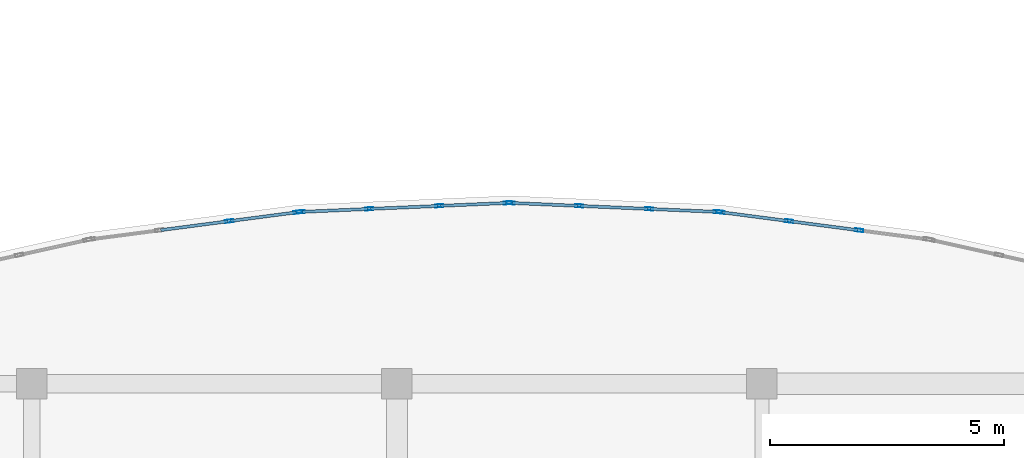
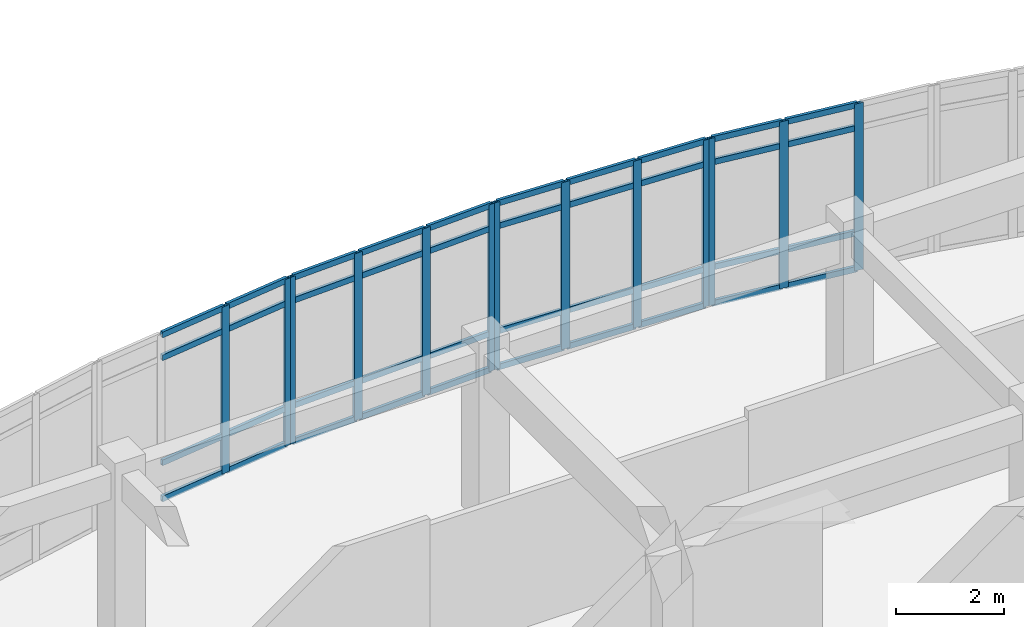
# One storey, part 56 of 146: 53 members, 4 elements without a shape of their own.
"""IFC4 building model written with IfcOpenShell, lengths in metres."""

from ifc_helpers import new_model, si_unit, direction, frame, origin, origin_2d, place, context, subcontext, project, spatial, hollow_rectangle, extrude, material, layer, layer_set, material_profile, profile_set, type_object, element, aggregate, save


model = new_model("IFC4")

# Units and contexts
model_context = context("Model", 3, precision=1e-05, world=origin(), true_north=direction((0.0, 1.0)))
body_context = subcontext(model_context, "Body", "Model", "MODEL_VIEW")
ifc_project = project(units=[si_unit("LENGTHUNIT", "METRE"), si_unit("AREAUNIT", "SQUARE_METRE"), si_unit("VOLUMEUNIT", "CUBIC_METRE"), si_unit("PLANEANGLEUNIT", "RADIAN"), si_unit("MASSUNIT", "GRAM", prefix="KILO")], contexts=[model_context])

# Site, building, storey
site_placement = place(None, origin())
site = spatial("IfcSite", under=ifc_project, at=site_placement, CompositionType="ELEMENT")
building_placement = place(site_placement, origin())
building = spatial("IfcBuilding", under=site, at=building_placement, Name="Valcora Specialist Clinic", CompositionType="ELEMENT")
storey_placement = place(building_placement, frame((0.0, 0.0, 9.52001953125)))
storey = spatial("IfcBuildingStorey", under=building, at=storey_placement, Name="L02", CompositionType="ELEMENT", Elevation=9.52001953125)

# Curtain wall, members
ifc_material = material(Name="Anodized Bronze Aluminium 6063-T6", Category="aluminium")
ifc_layer = layer(ifc_material, 0.175048828125)
ifc_layer_set = layer_set([ifc_layer], Name="Anodized Bronze Aluminium 6063-T6")
curtain_wall_type = type_object("IfcCurtainWallType", Name="TY-CW-ARC40", PredefinedType="NOTDEFINED", material=ifc_layer_set)
curtain_wall_1_placement = place(storey_placement, origin())
curtain_wall_1 = element("IfcCurtainWall", 1, at=curtain_wall_1_placement, inside=storey, type_object=curtain_wall_type, Name="Curtain wall CW-L02-204", PredefinedType="NOTDEFINED")
ifc_material_profile_1 = material_profile(ifc_material, hollow_rectangle(XDim=0.06494140625, YDim=0.175048828125, WallThickness=0.00390625, at=origin_2d()), Name="AL-MUL-65X175")
ifc_profile_set_1 = profile_set([ifc_material_profile_1], Name="Anodized Bronze Aluminium 6063-T6")
member_type_1 = type_object("IfcMemberType", Name="TY-CWM-65X175", PredefinedType="MULLION", material=ifc_profile_set_1)
member_1_placement = place(storey_placement, frame((81.017333984375, 25.474365234375, 0.0), z_axis=(0.0, 0.0, 1.0), x_axis=(-0.129999492259, 0.991514060421, 0.0)))
member_1 = element("IfcMember", 2, at=member_1_placement, type_object=member_type_1, Name="CW-ARC-40 mullion 3", PredefinedType="MULLION", context=body_context, shape_type="SweptSolid", body=[
    extrude(hollow_rectangle(XDim=0.06494140625, YDim=0.175048828125, WallThickness=0.00390625, at=origin_2d()), origin(), (0.0, 0.0, 1.0), 3.780029296875),
])
member_2_placement = place(storey_placement, frame((82.480712890625, 25.666259765625, 0.0), z_axis=(0.0, 0.0, 1.0), x_axis=(-0.129999492259, 0.991514060421, 0.0)))
member_2 = element("IfcMember", 3, at=member_2_placement, type_object=member_type_1, Name="CW-ARC-40 mullion 4", PredefinedType="MULLION", context=body_context, shape_type="SweptSolid", body=[
    extrude(hollow_rectangle(XDim=0.06494140625, YDim=0.175048828125, WallThickness=0.00390625, at=origin_2d()), origin(), (0.0, 0.0, 1.0), 3.780029296875),
])

curtain_wall_2_placement = place(storey_placement, origin())
curtain_wall_2 = element("IfcCurtainWall", 4, at=curtain_wall_2_placement, inside=storey, type_object=curtain_wall_type, Name="Curtain wall CW-L02-205", PredefinedType="NOTDEFINED")
member_3_placement = place(storey_placement, frame((82.54541015625, 25.671875, 0.0), z_axis=(0.0, 0.0, 1.0), x_axis=(-0.043306780525, 0.999061821291, 0.0)))
member_3 = element("IfcMember", 5, at=member_3_placement, type_object=member_type_1, Name="CW-ARC-40 mullion 1", PredefinedType="MULLION", context=body_context, shape_type="SweptSolid", body=[
    extrude(hollow_rectangle(XDim=0.06494140625, YDim=0.175048828125, WallThickness=0.00390625, at=origin_2d()), origin(), (0.0, 0.0, 1.0), 3.780029296875),
])
member_4_placement = place(storey_placement, frame((84.008544921875, 25.7353515625, 0.0), z_axis=(0.0, 0.0, 1.0), x_axis=(-0.043306780525, 0.999061821291, 0.0)))
member_4 = element("IfcMember", 6, at=member_4_placement, type_object=member_type_1, Name="CW-ARC-40 mullion 2", PredefinedType="MULLION", context=body_context, shape_type="SweptSolid", body=[
    extrude(hollow_rectangle(XDim=0.06494140625, YDim=0.175048828125, WallThickness=0.00390625, at=origin_2d()), origin(), (0.0, 0.0, 1.0), 3.780029296875),
])
member_5_placement = place(storey_placement, frame((85.50439453125, 25.800048828125, 0.0), z_axis=(0.0, 0.0, 1.0), x_axis=(-0.043306780525, 0.999061821291, 0.0)))
member_5 = element("IfcMember", 7, at=member_5_placement, type_object=member_type_1, Name="CW-ARC-40 mullion 3", PredefinedType="MULLION", context=body_context, shape_type="SweptSolid", body=[
    extrude(hollow_rectangle(XDim=0.06494140625, YDim=0.175048828125, WallThickness=0.00390625, at=origin_2d()), origin(), (0.0, 0.0, 1.0), 3.780029296875),
])
member_6_placement = place(storey_placement, frame((86.967529296875, 25.863525390625, 0.0), z_axis=(0.0, 0.0, 1.0), x_axis=(-0.043306780525, 0.999061821291, 0.0)))
member_6 = element("IfcMember", 8, at=member_6_placement, type_object=member_type_1, Name="CW-ARC-40 mullion 4", PredefinedType="MULLION", context=body_context, shape_type="SweptSolid", body=[
    extrude(hollow_rectangle(XDim=0.06494140625, YDim=0.175048828125, WallThickness=0.00390625, at=origin_2d()), origin(), (0.0, 0.0, 1.0), 3.780029296875),
])

curtain_wall_3_placement = place(storey_placement, origin())
curtain_wall_3 = element("IfcCurtainWall", 9, at=curtain_wall_3_placement, inside=storey, type_object=curtain_wall_type, Name="Curtain wall CW-L02-206", PredefinedType="NOTDEFINED")
member_7_placement = place(storey_placement, frame((87.032470703125, 25.863525390625, 0.0), z_axis=(0.0, 0.0, 1.0), x_axis=(0.043306780525, 0.999061821291, 0.0)))
member_7 = element("IfcMember", 10, at=member_7_placement, type_object=member_type_1, Name="CW-ARC-40 mullion 1", PredefinedType="MULLION", context=body_context, shape_type="SweptSolid", body=[
    extrude(hollow_rectangle(XDim=0.06494140625, YDim=0.175048828125, WallThickness=0.00390625, at=origin_2d()), origin(), (0.0, 0.0, 1.0), 3.780029296875),
])
member_8_placement = place(storey_placement, frame((88.49560546875, 25.800048828125, 0.0), z_axis=(0.0, 0.0, 1.0), x_axis=(0.043306780525, 0.999061821291, 0.0)))
member_8 = element("IfcMember", 11, at=member_8_placement, type_object=member_type_1, Name="CW-ARC-40 mullion 2", PredefinedType="MULLION", context=body_context, shape_type="SweptSolid", body=[
    extrude(hollow_rectangle(XDim=0.06494140625, YDim=0.175048828125, WallThickness=0.00390625, at=origin_2d()), origin(), (0.0, 0.0, 1.0), 3.780029296875),
])
member_9_placement = place(storey_placement, frame((89.991455078125, 25.7353515625, 0.0), z_axis=(0.0, 0.0, 1.0), x_axis=(0.043306780525, 0.999061821291, 0.0)))
member_9 = element("IfcMember", 12, at=member_9_placement, type_object=member_type_1, Name="CW-ARC-40 mullion 3", PredefinedType="MULLION", context=body_context, shape_type="SweptSolid", body=[
    extrude(hollow_rectangle(XDim=0.06494140625, YDim=0.175048828125, WallThickness=0.00390625, at=origin_2d()), origin(), (0.0, 0.0, 1.0), 3.780029296875),
])
member_10_placement = place(storey_placement, frame((91.45458984375, 25.671875, 0.0), z_axis=(0.0, 0.0, 1.0), x_axis=(0.043306780525, 0.999061821291, 0.0)))
member_10 = element("IfcMember", 13, at=member_10_placement, type_object=member_type_1, Name="CW-ARC-40 mullion 4", PredefinedType="MULLION", context=body_context, shape_type="SweptSolid", body=[
    extrude(hollow_rectangle(XDim=0.06494140625, YDim=0.175048828125, WallThickness=0.00390625, at=origin_2d()), origin(), (0.0, 0.0, 1.0), 3.780029296875),
])

curtain_wall_4_placement = place(storey_placement, origin())
curtain_wall_4 = element("IfcCurtainWall", 14, at=curtain_wall_4_placement, inside=storey, type_object=curtain_wall_type, Name="Curtain wall CW-L02-207", PredefinedType="NOTDEFINED")
member_11_placement = place(storey_placement, frame((91.519287109375, 25.666259765625, 0.0), z_axis=(0.0, 0.0, 1.0), x_axis=(0.129999492259, 0.991514060421, 0.0)))
member_11 = element("IfcMember", 15, at=member_11_placement, type_object=member_type_1, Name="CW-ARC-40 mullion 1", PredefinedType="MULLION", context=body_context, shape_type="SweptSolid", body=[
    extrude(hollow_rectangle(XDim=0.06494140625, YDim=0.175048828125, WallThickness=0.00390625, at=origin_2d()), origin(), (0.0, 0.0, 1.0), 3.780029296875),
])
member_12_placement = place(storey_placement, frame((92.982666015625, 25.474365234375, 0.0), z_axis=(0.0, 0.0, 1.0), x_axis=(0.129999492259, 0.991514060421, 0.0)))
member_12 = element("IfcMember", 16, at=member_12_placement, type_object=member_type_1, Name="CW-ARC-40 mullion 2", PredefinedType="MULLION", context=body_context, shape_type="SweptSolid", body=[
    extrude(hollow_rectangle(XDim=0.06494140625, YDim=0.175048828125, WallThickness=0.00390625, at=origin_2d()), origin(), (0.0, 0.0, 1.0), 3.780029296875),
])
member_13_placement = place(storey_placement, frame((94.478271484375, 25.2783203125, 0.0), z_axis=(0.0, 0.0, 1.0), x_axis=(0.129999492259, 0.991514060421, 0.0)))
member_13 = element("IfcMember", 17, at=member_13_placement, type_object=member_type_1, Name="CW-ARC-40 mullion 3", PredefinedType="MULLION", context=body_context, shape_type="SweptSolid", body=[
    extrude(hollow_rectangle(XDim=0.06494140625, YDim=0.175048828125, WallThickness=0.00390625, at=origin_2d()), origin(), (0.0, 0.0, 1.0), 3.780029296875),
])

# Member
ifc_material_profile_2 = material_profile(ifc_material, hollow_rectangle(XDim=0.06494140625, YDim=0.1298828125, WallThickness=0.00390625, at=origin_2d()), Name="AL-TRN-65X130")
ifc_profile_set_2 = profile_set([ifc_material_profile_2], Name="Anodized Bronze Aluminium 6063-T6")
member_type_2 = type_object("IfcMemberType", Name="TY-CWT-65X130", PredefinedType="USERDEFINED", material=ifc_profile_set_2)
member_14_placement = place(storey_placement, frame((79.553955078125, 25.282470703125, 0.032470703125), z_axis=(0.99152668223, 0.129903188665, 0.0), x_axis=(-0.129903188665, 0.99152668223, 0.0)))
member_14 = element("IfcMember", 18, at=member_14_placement, type_object=member_type_2, Name="CW-ARC-40 transom 2.1", ObjectType="TRANSOM", PredefinedType="USERDEFINED", context=body_context, shape_type="SweptSolid", body=[
    extrude(hollow_rectangle(XDim=0.06494140625, YDim=0.1298828125, WallThickness=0.00390625, at=origin_2d()), origin(), (0.0, 0.0, 1.0), 1.443359375),
])

member_15_placement = place(storey_placement, frame((79.553955078125, 25.282470703125, 0.85009765625), z_axis=(0.99152668223, 0.129903188665, 0.0), x_axis=(-0.129903188665, 0.99152668223, 0.0)))
member_15 = element("IfcMember", 19, at=member_15_placement, type_object=member_type_2, Name="CW-ARC-40 transom 2.2", ObjectType="TRANSOM", PredefinedType="USERDEFINED", context=body_context, shape_type="SweptSolid", body=[
    extrude(hollow_rectangle(XDim=0.06494140625, YDim=0.1298828125, WallThickness=0.00390625, at=origin_2d()), origin(), (0.0, 0.0, 1.0), 1.443359375),
])

member_16_placement = place(storey_placement, frame((79.553955078125, 25.282470703125, 3.22998046875), z_axis=(0.99152668223, 0.129903188665, 0.0), x_axis=(-0.129903188665, 0.99152668223, 0.0)))
member_16 = element("IfcMember", 20, at=member_16_placement, type_object=member_type_2, Name="CW-ARC-40 transom 2.3", ObjectType="TRANSOM", PredefinedType="USERDEFINED", context=body_context, shape_type="SweptSolid", body=[
    extrude(hollow_rectangle(XDim=0.06494140625, YDim=0.1298828125, WallThickness=0.00390625, at=origin_2d()), origin(), (0.0, 0.0, 1.0), 1.443359375),
])

member_17_placement = place(storey_placement, frame((79.553955078125, 25.282470703125, 3.74755859375), z_axis=(0.99152668223, 0.129903188665, 0.0), x_axis=(-0.129903188665, 0.99152668223, 0.0)))
member_17 = element("IfcMember", 21, at=member_17_placement, type_object=member_type_2, Name="CW-ARC-40 transom 2.4", ObjectType="TRANSOM", PredefinedType="USERDEFINED", context=body_context, shape_type="SweptSolid", body=[
    extrude(hollow_rectangle(XDim=0.06494140625, YDim=0.1298828125, WallThickness=0.00390625, at=origin_2d()), origin(), (0.0, 0.0, 1.0), 1.443359375),
])

member_18_placement = place(storey_placement, frame((81.049560546875, 25.478515625, 0.032470703125), z_axis=(0.991520133728, 0.129953162379, 0.0), x_axis=(-0.129953162379, 0.991520133728, 0.0)))
member_18 = element("IfcMember", 22, at=member_18_placement, type_object=member_type_2, Name="CW-ARC-40 transom 3.1", ObjectType="TRANSOM", PredefinedType="USERDEFINED", context=body_context, shape_type="SweptSolid", body=[
    extrude(hollow_rectangle(XDim=0.06494140625, YDim=0.1298828125, WallThickness=0.00390625, at=origin_2d()), origin(), (0.0, 0.0, 1.0), 1.410888671875),
])

member_19_placement = place(storey_placement, frame((81.049560546875, 25.478515625, 0.85009765625), z_axis=(0.991520133728, 0.129953162379, 0.0), x_axis=(-0.129953162379, 0.991520133728, 0.0)))
member_19 = element("IfcMember", 23, at=member_19_placement, type_object=member_type_2, Name="CW-ARC-40 transom 3.2", ObjectType="TRANSOM", PredefinedType="USERDEFINED", context=body_context, shape_type="SweptSolid", body=[
    extrude(hollow_rectangle(XDim=0.06494140625, YDim=0.1298828125, WallThickness=0.00390625, at=origin_2d()), origin(), (0.0, 0.0, 1.0), 1.410888671875),
])

member_20_placement = place(storey_placement, frame((81.049560546875, 25.478515625, 3.22998046875), z_axis=(0.991520133728, 0.129953162379, 0.0), x_axis=(-0.129953162379, 0.991520133728, 0.0)))
member_20 = element("IfcMember", 24, at=member_20_placement, type_object=member_type_2, Name="CW-ARC-40 transom 3.3", ObjectType="TRANSOM", PredefinedType="USERDEFINED", context=body_context, shape_type="SweptSolid", body=[
    extrude(hollow_rectangle(XDim=0.06494140625, YDim=0.1298828125, WallThickness=0.00390625, at=origin_2d()), origin(), (0.0, 0.0, 1.0), 1.410888671875),
])

member_21_placement = place(storey_placement, frame((81.049560546875, 25.478515625, 3.74755859375), z_axis=(0.991520133728, 0.129953162379, 0.0), x_axis=(-0.129953162379, 0.991520133728, 0.0)))
member_21 = element("IfcMember", 25, at=member_21_placement, type_object=member_type_2, Name="CW-ARC-40 transom 3.4", ObjectType="TRANSOM", PredefinedType="USERDEFINED", context=body_context, shape_type="SweptSolid", body=[
    extrude(hollow_rectangle(XDim=0.06494140625, YDim=0.1298828125, WallThickness=0.00390625, at=origin_2d()), origin(), (0.0, 0.0, 1.0), 1.410888671875),
])

aggregate(curtain_wall_1, [member_1, member_2, member_14, member_15, member_16, member_17, member_18, member_19, member_20, member_21])

member_22_placement = place(storey_placement, frame((82.577880859375, 25.673095703125, 0.032470703125), z_axis=(0.999056487414, 0.043429655266, 0.0), x_axis=(-0.043429655266, 0.999056487414, 0.0)))
member_22 = element("IfcMember", 26, at=member_22_placement, type_object=member_type_2, Name="CW-ARC-40 transom 1.1", ObjectType="TRANSOM", PredefinedType="USERDEFINED", context=body_context, shape_type="SweptSolid", body=[
    extrude(hollow_rectangle(XDim=0.06494140625, YDim=0.1298828125, WallThickness=0.00390625, at=origin_2d()), origin(), (0.0, 0.0, 1.0), 1.399658203125),
])

member_23_placement = place(storey_placement, frame((82.577880859375, 25.673095703125, 0.85009765625), z_axis=(0.999056487414, 0.043429655266, 0.0), x_axis=(-0.043429655266, 0.999056487414, 0.0)))
member_23 = element("IfcMember", 27, at=member_23_placement, type_object=member_type_2, Name="CW-ARC-40 transom 1.2", ObjectType="TRANSOM", PredefinedType="USERDEFINED", context=body_context, shape_type="SweptSolid", body=[
    extrude(hollow_rectangle(XDim=0.06494140625, YDim=0.1298828125, WallThickness=0.00390625, at=origin_2d()), origin(), (0.0, 0.0, 1.0), 1.399658203125),
])

member_24_placement = place(storey_placement, frame((82.577880859375, 25.673095703125, 3.22998046875), z_axis=(0.999056487414, 0.043429655266, 0.0), x_axis=(-0.043429655266, 0.999056487414, 0.0)))
member_24 = element("IfcMember", 28, at=member_24_placement, type_object=member_type_2, Name="CW-ARC-40 transom 1.3", ObjectType="TRANSOM", PredefinedType="USERDEFINED", context=body_context, shape_type="SweptSolid", body=[
    extrude(hollow_rectangle(XDim=0.06494140625, YDim=0.1298828125, WallThickness=0.00390625, at=origin_2d()), origin(), (0.0, 0.0, 1.0), 1.399658203125),
])

member_25_placement = place(storey_placement, frame((82.577880859375, 25.673095703125, 3.74755859375), z_axis=(0.999056487414, 0.043429655266, 0.0), x_axis=(-0.043429655266, 0.999056487414, 0.0)))
member_25 = element("IfcMember", 29, at=member_25_placement, type_object=member_type_2, Name="CW-ARC-40 transom 1.4", ObjectType="TRANSOM", PredefinedType="USERDEFINED", context=body_context, shape_type="SweptSolid", body=[
    extrude(hollow_rectangle(XDim=0.06494140625, YDim=0.1298828125, WallThickness=0.00390625, at=origin_2d()), origin(), (0.0, 0.0, 1.0), 1.399658203125),
])

member_26_placement = place(storey_placement, frame((84.041015625, 25.736572265625, 0.032470703125), z_axis=(0.999062259276, 0.043296675287, 0.0), x_axis=(-0.043296675287, 0.999062259276, 0.0)))
member_26 = element("IfcMember", 30, at=member_26_placement, type_object=member_type_2, Name="CW-ARC-40 transom 2.1", ObjectType="TRANSOM", PredefinedType="USERDEFINED", context=body_context, shape_type="SweptSolid", body=[
    extrude(hollow_rectangle(XDim=0.06494140625, YDim=0.1298828125, WallThickness=0.00390625, at=origin_2d()), origin(), (0.0, 0.0, 1.0), 1.432373046875),
])

member_27_placement = place(storey_placement, frame((84.041015625, 25.736572265625, 0.85009765625), z_axis=(0.999062259276, 0.043296675287, 0.0), x_axis=(-0.043296675287, 0.999062259276, 0.0)))
member_27 = element("IfcMember", 31, at=member_27_placement, type_object=member_type_2, Name="CW-ARC-40 transom 2.2", ObjectType="TRANSOM", PredefinedType="USERDEFINED", context=body_context, shape_type="SweptSolid", body=[
    extrude(hollow_rectangle(XDim=0.06494140625, YDim=0.1298828125, WallThickness=0.00390625, at=origin_2d()), origin(), (0.0, 0.0, 1.0), 1.432373046875),
])

member_28_placement = place(storey_placement, frame((84.041015625, 25.736572265625, 3.22998046875), z_axis=(0.999062259276, 0.043296675287, 0.0), x_axis=(-0.043296675287, 0.999062259276, 0.0)))
member_28 = element("IfcMember", 32, at=member_28_placement, type_object=member_type_2, Name="CW-ARC-40 transom 2.3", ObjectType="TRANSOM", PredefinedType="USERDEFINED", context=body_context, shape_type="SweptSolid", body=[
    extrude(hollow_rectangle(XDim=0.06494140625, YDim=0.1298828125, WallThickness=0.00390625, at=origin_2d()), origin(), (0.0, 0.0, 1.0), 1.432373046875),
])

member_29_placement = place(storey_placement, frame((84.041015625, 25.736572265625, 3.74755859375), z_axis=(0.999062259276, 0.043296675287, 0.0), x_axis=(-0.043296675287, 0.999062259276, 0.0)))
member_29 = element("IfcMember", 33, at=member_29_placement, type_object=member_type_2, Name="CW-ARC-40 transom 2.4", ObjectType="TRANSOM", PredefinedType="USERDEFINED", context=body_context, shape_type="SweptSolid", body=[
    extrude(hollow_rectangle(XDim=0.06494140625, YDim=0.1298828125, WallThickness=0.00390625, at=origin_2d()), origin(), (0.0, 0.0, 1.0), 1.432373046875),
])

member_30_placement = place(storey_placement, frame((85.536865234375, 25.801513671875, 0.032470703125), z_axis=(0.999063713567, 0.043263104761, 0.0), x_axis=(-0.043263104761, 0.999063713567, 0.0)))
member_30 = element("IfcMember", 34, at=member_30_placement, type_object=member_type_2, Name="CW-ARC-40 transom 3.1", ObjectType="TRANSOM", PredefinedType="USERDEFINED", context=body_context, shape_type="SweptSolid", body=[
    extrude(hollow_rectangle(XDim=0.06494140625, YDim=0.1298828125, WallThickness=0.00390625, at=origin_2d()), origin(), (0.0, 0.0, 1.0), 1.3994140625),
])

member_31_placement = place(storey_placement, frame((85.536865234375, 25.801513671875, 0.85009765625), z_axis=(0.999063713567, 0.043263104761, 0.0), x_axis=(-0.043263104761, 0.999063713567, 0.0)))
member_31 = element("IfcMember", 35, at=member_31_placement, type_object=member_type_2, Name="CW-ARC-40 transom 3.2", ObjectType="TRANSOM", PredefinedType="USERDEFINED", context=body_context, shape_type="SweptSolid", body=[
    extrude(hollow_rectangle(XDim=0.06494140625, YDim=0.1298828125, WallThickness=0.00390625, at=origin_2d()), origin(), (0.0, 0.0, 1.0), 1.3994140625),
])

member_32_placement = place(storey_placement, frame((85.536865234375, 25.801513671875, 3.22998046875), z_axis=(0.999063713567, 0.043263104761, 0.0), x_axis=(-0.043263104761, 0.999063713567, 0.0)))
member_32 = element("IfcMember", 36, at=member_32_placement, type_object=member_type_2, Name="CW-ARC-40 transom 3.3", ObjectType="TRANSOM", PredefinedType="USERDEFINED", context=body_context, shape_type="SweptSolid", body=[
    extrude(hollow_rectangle(XDim=0.06494140625, YDim=0.1298828125, WallThickness=0.00390625, at=origin_2d()), origin(), (0.0, 0.0, 1.0), 1.3994140625),
])

member_33_placement = place(storey_placement, frame((85.536865234375, 25.801513671875, 3.74755859375), z_axis=(0.999063713567, 0.043263104761, 0.0), x_axis=(-0.043263104761, 0.999063713567, 0.0)))
member_33 = element("IfcMember", 37, at=member_33_placement, type_object=member_type_2, Name="CW-ARC-40 transom 3.4", ObjectType="TRANSOM", PredefinedType="USERDEFINED", context=body_context, shape_type="SweptSolid", body=[
    extrude(hollow_rectangle(XDim=0.06494140625, YDim=0.1298828125, WallThickness=0.00390625, at=origin_2d()), origin(), (0.0, 0.0, 1.0), 1.3994140625),
])

aggregate(curtain_wall_2, [member_3, member_4, member_5, member_6, member_22, member_23, member_24, member_25, member_26, member_27, member_28, member_29, member_30, member_31, member_32, member_33])

member_34_placement = place(storey_placement, frame((87.06494140625, 25.862060546875, 0.032470703125), z_axis=(0.999063713567, -0.043263104761, 0.0), x_axis=(0.043263104761, 0.999063713567, 0.0)))
member_34 = element("IfcMember", 38, at=member_34_placement, type_object=member_type_2, Name="CW-ARC-40 transom 1.1", ObjectType="TRANSOM", PredefinedType="USERDEFINED", context=body_context, shape_type="SweptSolid", body=[
    extrude(hollow_rectangle(XDim=0.06494140625, YDim=0.1298828125, WallThickness=0.00390625, at=origin_2d()), origin(), (0.0, 0.0, 1.0), 1.3994140625),
])

member_35_placement = place(storey_placement, frame((87.06494140625, 25.862060546875, 0.85009765625), z_axis=(0.999063713567, -0.043263104761, 0.0), x_axis=(0.043263104761, 0.999063713567, 0.0)))
member_35 = element("IfcMember", 39, at=member_35_placement, type_object=member_type_2, Name="CW-ARC-40 transom 1.2", ObjectType="TRANSOM", PredefinedType="USERDEFINED", context=body_context, shape_type="SweptSolid", body=[
    extrude(hollow_rectangle(XDim=0.06494140625, YDim=0.1298828125, WallThickness=0.00390625, at=origin_2d()), origin(), (0.0, 0.0, 1.0), 1.3994140625),
])

member_36_placement = place(storey_placement, frame((87.06494140625, 25.862060546875, 3.22998046875), z_axis=(0.999063713567, -0.043263104761, 0.0), x_axis=(0.043263104761, 0.999063713567, 0.0)))
member_36 = element("IfcMember", 40, at=member_36_placement, type_object=member_type_2, Name="CW-ARC-40 transom 1.3", ObjectType="TRANSOM", PredefinedType="USERDEFINED", context=body_context, shape_type="SweptSolid", body=[
    extrude(hollow_rectangle(XDim=0.06494140625, YDim=0.1298828125, WallThickness=0.00390625, at=origin_2d()), origin(), (0.0, 0.0, 1.0), 1.3994140625),
])

member_37_placement = place(storey_placement, frame((87.06494140625, 25.862060546875, 3.74755859375), z_axis=(0.999063713567, -0.043263104761, 0.0), x_axis=(0.043263104761, 0.999063713567, 0.0)))
member_37 = element("IfcMember", 41, at=member_37_placement, type_object=member_type_2, Name="CW-ARC-40 transom 1.4", ObjectType="TRANSOM", PredefinedType="USERDEFINED", context=body_context, shape_type="SweptSolid", body=[
    extrude(hollow_rectangle(XDim=0.06494140625, YDim=0.1298828125, WallThickness=0.00390625, at=origin_2d()), origin(), (0.0, 0.0, 1.0), 1.3994140625),
])

member_38_placement = place(storey_placement, frame((88.528076171875, 25.798583984375, 0.032470703125), z_axis=(0.999062259276, -0.043296675287, 0.0), x_axis=(0.043296675287, 0.999062259276, 0.0)))
member_38 = element("IfcMember", 42, at=member_38_placement, type_object=member_type_2, Name="CW-ARC-40 transom 2.1", ObjectType="TRANSOM", PredefinedType="USERDEFINED", context=body_context, shape_type="SweptSolid", body=[
    extrude(hollow_rectangle(XDim=0.06494140625, YDim=0.1298828125, WallThickness=0.00390625, at=origin_2d()), origin(), (0.0, 0.0, 1.0), 1.432373046875),
])

member_39_placement = place(storey_placement, frame((88.528076171875, 25.798583984375, 0.85009765625), z_axis=(0.999062259276, -0.043296675287, 0.0), x_axis=(0.043296675287, 0.999062259276, 0.0)))
member_39 = element("IfcMember", 43, at=member_39_placement, type_object=member_type_2, Name="CW-ARC-40 transom 2.2", ObjectType="TRANSOM", PredefinedType="USERDEFINED", context=body_context, shape_type="SweptSolid", body=[
    extrude(hollow_rectangle(XDim=0.06494140625, YDim=0.1298828125, WallThickness=0.00390625, at=origin_2d()), origin(), (0.0, 0.0, 1.0), 1.432373046875),
])

member_40_placement = place(storey_placement, frame((88.528076171875, 25.798583984375, 3.22998046875), z_axis=(0.999062259276, -0.043296675287, 0.0), x_axis=(0.043296675287, 0.999062259276, 0.0)))
member_40 = element("IfcMember", 44, at=member_40_placement, type_object=member_type_2, Name="CW-ARC-40 transom 2.3", ObjectType="TRANSOM", PredefinedType="USERDEFINED", context=body_context, shape_type="SweptSolid", body=[
    extrude(hollow_rectangle(XDim=0.06494140625, YDim=0.1298828125, WallThickness=0.00390625, at=origin_2d()), origin(), (0.0, 0.0, 1.0), 1.432373046875),
])

member_41_placement = place(storey_placement, frame((88.528076171875, 25.798583984375, 3.74755859375), z_axis=(0.999062259276, -0.043296675287, 0.0), x_axis=(0.043296675287, 0.999062259276, 0.0)))
member_41 = element("IfcMember", 45, at=member_41_placement, type_object=member_type_2, Name="CW-ARC-40 transom 2.4", ObjectType="TRANSOM", PredefinedType="USERDEFINED", context=body_context, shape_type="SweptSolid", body=[
    extrude(hollow_rectangle(XDim=0.06494140625, YDim=0.1298828125, WallThickness=0.00390625, at=origin_2d()), origin(), (0.0, 0.0, 1.0), 1.432373046875),
])

member_42_placement = place(storey_placement, frame((90.023681640625, 25.73388671875, 0.032470703125), z_axis=(0.999056487414, -0.043429655266, 0.0), x_axis=(0.043429655266, 0.999056487414, 0.0)))
member_42 = element("IfcMember", 46, at=member_42_placement, type_object=member_type_2, Name="CW-ARC-40 transom 3.1", ObjectType="TRANSOM", PredefinedType="USERDEFINED", context=body_context, shape_type="SweptSolid", body=[
    extrude(hollow_rectangle(XDim=0.06494140625, YDim=0.1298828125, WallThickness=0.00390625, at=origin_2d()), origin(), (0.0, 0.0, 1.0), 1.399658203125),
])

member_43_placement = place(storey_placement, frame((90.023681640625, 25.73388671875, 0.85009765625), z_axis=(0.999056487414, -0.043429655266, 0.0), x_axis=(0.043429655266, 0.999056487414, 0.0)))
member_43 = element("IfcMember", 47, at=member_43_placement, type_object=member_type_2, Name="CW-ARC-40 transom 3.2", ObjectType="TRANSOM", PredefinedType="USERDEFINED", context=body_context, shape_type="SweptSolid", body=[
    extrude(hollow_rectangle(XDim=0.06494140625, YDim=0.1298828125, WallThickness=0.00390625, at=origin_2d()), origin(), (0.0, 0.0, 1.0), 1.399658203125),
])

member_44_placement = place(storey_placement, frame((90.023681640625, 25.73388671875, 3.22998046875), z_axis=(0.999056487414, -0.043429655266, 0.0), x_axis=(0.043429655266, 0.999056487414, 0.0)))
member_44 = element("IfcMember", 48, at=member_44_placement, type_object=member_type_2, Name="CW-ARC-40 transom 3.3", ObjectType="TRANSOM", PredefinedType="USERDEFINED", context=body_context, shape_type="SweptSolid", body=[
    extrude(hollow_rectangle(XDim=0.06494140625, YDim=0.1298828125, WallThickness=0.00390625, at=origin_2d()), origin(), (0.0, 0.0, 1.0), 1.399658203125),
])

member_45_placement = place(storey_placement, frame((90.023681640625, 25.73388671875, 3.74755859375), z_axis=(0.999056487414, -0.043429655266, 0.0), x_axis=(0.043429655266, 0.999056487414, 0.0)))
member_45 = element("IfcMember", 49, at=member_45_placement, type_object=member_type_2, Name="CW-ARC-40 transom 3.4", ObjectType="TRANSOM", PredefinedType="USERDEFINED", context=body_context, shape_type="SweptSolid", body=[
    extrude(hollow_rectangle(XDim=0.06494140625, YDim=0.1298828125, WallThickness=0.00390625, at=origin_2d()), origin(), (0.0, 0.0, 1.0), 1.399658203125),
])

aggregate(curtain_wall_3, [member_7, member_8, member_9, member_10, member_34, member_35, member_36, member_37, member_38, member_39, member_40, member_41, member_42, member_43, member_44, member_45])

member_46_placement = place(storey_placement, frame((91.551513671875, 25.661865234375, 0.032470703125), z_axis=(0.991520133728, -0.129953162379, 0.0), x_axis=(0.129953162379, 0.991520133728, 0.0)))
member_46 = element("IfcMember", 50, at=member_46_placement, type_object=member_type_2, Name="CW-ARC-40 transom 1.1", ObjectType="TRANSOM", PredefinedType="USERDEFINED", context=body_context, shape_type="SweptSolid", body=[
    extrude(hollow_rectangle(XDim=0.06494140625, YDim=0.1298828125, WallThickness=0.00390625, at=origin_2d()), origin(), (0.0, 0.0, 1.0), 1.410888671875),
])

member_47_placement = place(storey_placement, frame((91.551513671875, 25.661865234375, 0.85009765625), z_axis=(0.991520133728, -0.129953162379, 0.0), x_axis=(0.129953162379, 0.991520133728, 0.0)))
member_47 = element("IfcMember", 51, at=member_47_placement, type_object=member_type_2, Name="CW-ARC-40 transom 1.2", ObjectType="TRANSOM", PredefinedType="USERDEFINED", context=body_context, shape_type="SweptSolid", body=[
    extrude(hollow_rectangle(XDim=0.06494140625, YDim=0.1298828125, WallThickness=0.00390625, at=origin_2d()), origin(), (0.0, 0.0, 1.0), 1.410888671875),
])

member_48_placement = place(storey_placement, frame((91.551513671875, 25.661865234375, 3.22998046875), z_axis=(0.991520133728, -0.129953162379, 0.0), x_axis=(0.129953162379, 0.991520133728, 0.0)))
member_48 = element("IfcMember", 52, at=member_48_placement, type_object=member_type_2, Name="CW-ARC-40 transom 1.3", ObjectType="TRANSOM", PredefinedType="USERDEFINED", context=body_context, shape_type="SweptSolid", body=[
    extrude(hollow_rectangle(XDim=0.06494140625, YDim=0.1298828125, WallThickness=0.00390625, at=origin_2d()), origin(), (0.0, 0.0, 1.0), 1.410888671875),
])

member_49_placement = place(storey_placement, frame((91.551513671875, 25.661865234375, 3.74755859375), z_axis=(0.991520133728, -0.129953162379, 0.0), x_axis=(0.129953162379, 0.991520133728, 0.0)))
member_49 = element("IfcMember", 53, at=member_49_placement, type_object=member_type_2, Name="CW-ARC-40 transom 1.4", ObjectType="TRANSOM", PredefinedType="USERDEFINED", context=body_context, shape_type="SweptSolid", body=[
    extrude(hollow_rectangle(XDim=0.06494140625, YDim=0.1298828125, WallThickness=0.00390625, at=origin_2d()), origin(), (0.0, 0.0, 1.0), 1.410888671875),
])

member_50_placement = place(storey_placement, frame((93.014892578125, 25.469970703125, 0.032470703125), z_axis=(0.99152668223, -0.129903188665, 0.0), x_axis=(0.129903188665, 0.99152668223, 0.0)))
member_50 = element("IfcMember", 54, at=member_50_placement, type_object=member_type_2, Name="CW-ARC-40 transom 2.1", ObjectType="TRANSOM", PredefinedType="USERDEFINED", context=body_context, shape_type="SweptSolid", body=[
    extrude(hollow_rectangle(XDim=0.06494140625, YDim=0.1298828125, WallThickness=0.00390625, at=origin_2d()), origin(), (0.0, 0.0, 1.0), 1.443359375),
])

member_51_placement = place(storey_placement, frame((93.014892578125, 25.469970703125, 0.85009765625), z_axis=(0.99152668223, -0.129903188665, 0.0), x_axis=(0.129903188665, 0.99152668223, 0.0)))
member_51 = element("IfcMember", 55, at=member_51_placement, type_object=member_type_2, Name="CW-ARC-40 transom 2.2", ObjectType="TRANSOM", PredefinedType="USERDEFINED", context=body_context, shape_type="SweptSolid", body=[
    extrude(hollow_rectangle(XDim=0.06494140625, YDim=0.1298828125, WallThickness=0.00390625, at=origin_2d()), origin(), (0.0, 0.0, 1.0), 1.443359375),
])

member_52_placement = place(storey_placement, frame((93.014892578125, 25.469970703125, 3.22998046875), z_axis=(0.99152668223, -0.129903188665, 0.0), x_axis=(0.129903188665, 0.99152668223, 0.0)))
member_52 = element("IfcMember", 56, at=member_52_placement, type_object=member_type_2, Name="CW-ARC-40 transom 2.3", ObjectType="TRANSOM", PredefinedType="USERDEFINED", context=body_context, shape_type="SweptSolid", body=[
    extrude(hollow_rectangle(XDim=0.06494140625, YDim=0.1298828125, WallThickness=0.00390625, at=origin_2d()), origin(), (0.0, 0.0, 1.0), 1.443359375),
])

member_53_placement = place(storey_placement, frame((93.014892578125, 25.469970703125, 3.74755859375), z_axis=(0.99152668223, -0.129903188665, 0.0), x_axis=(0.129903188665, 0.99152668223, 0.0)))
member_53 = element("IfcMember", 57, at=member_53_placement, type_object=member_type_2, Name="CW-ARC-40 transom 2.4", ObjectType="TRANSOM", PredefinedType="USERDEFINED", context=body_context, shape_type="SweptSolid", body=[
    extrude(hollow_rectangle(XDim=0.06494140625, YDim=0.1298828125, WallThickness=0.00390625, at=origin_2d()), origin(), (0.0, 0.0, 1.0), 1.443359375),
])

aggregate(curtain_wall_4, [member_11, member_12, member_13, member_46, member_47, member_48, member_49, member_50, member_51, member_52, member_53])

save(model, "model.ifc")
